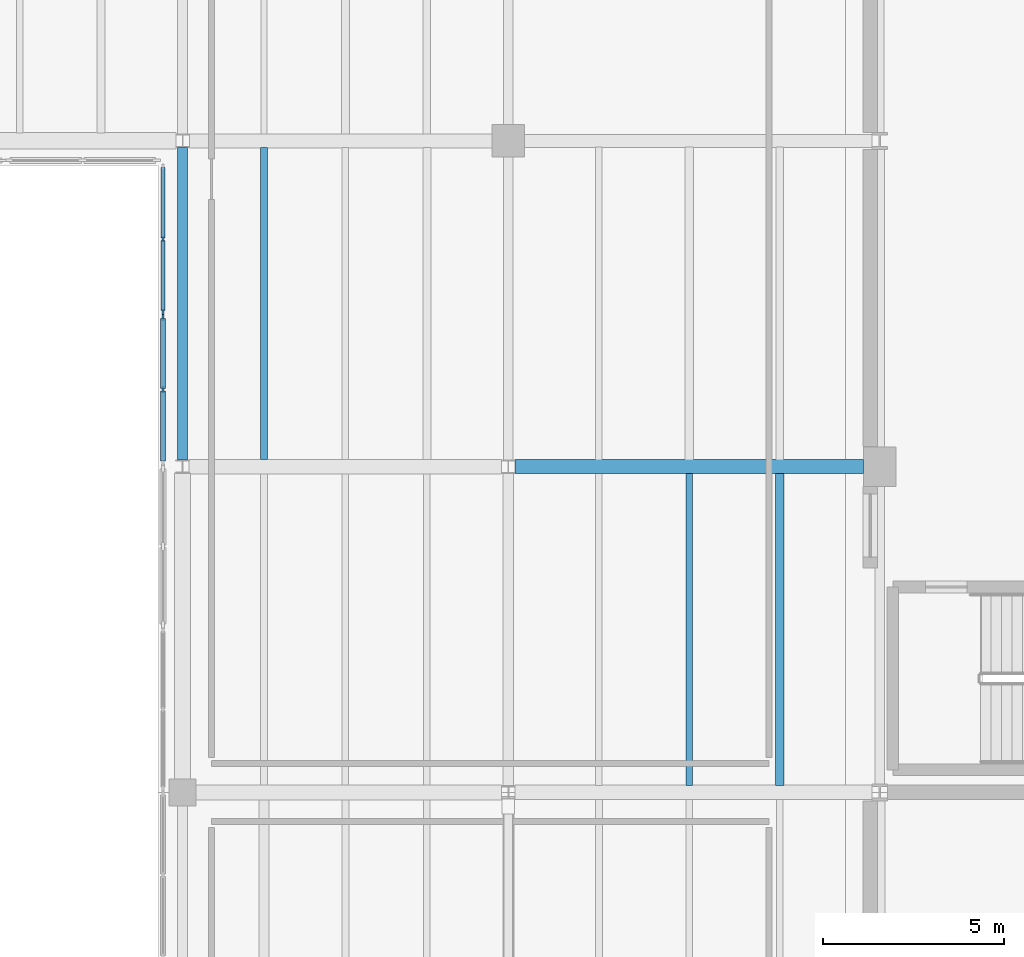
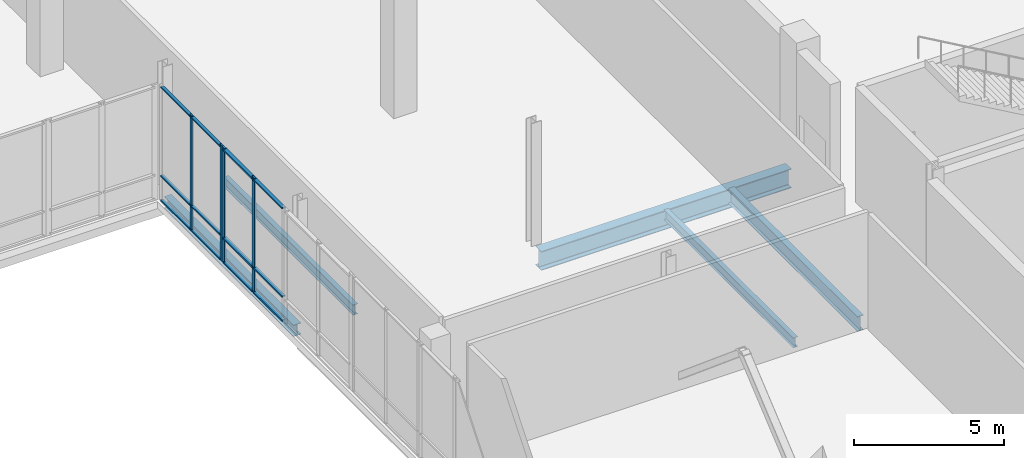
# One storey, part 32 of 73: 16 members, 5 beams, 2 elements without a shape of their own.
"""IFC4 building model written with IfcOpenShell, lengths in metres."""

from ifc_helpers import new_model, si_unit, direction, frame, origin, origin_2d, place, context, subcontext, project, spatial, rectangle, i_section, extrude, material, material_profile, profile_set, type_object, element, aggregate, save


model = new_model("IFC4")

# Units and contexts
model_context = context("Model", 3, precision=1e-05, world=origin(), true_north=direction((0.0, 1.0)))
body_context = subcontext(model_context, "Body", "Model", "MODEL_VIEW")
ifc_project = project(units=[si_unit("LENGTHUNIT", "METRE"), si_unit("AREAUNIT", "SQUARE_METRE"), si_unit("VOLUMEUNIT", "CUBIC_METRE"), si_unit("PLANEANGLEUNIT", "RADIAN"), si_unit("MASSUNIT", "GRAM", prefix="KILO")], contexts=[model_context])

# Site, building, storey
site_placement = place(None, origin())
site = spatial("IfcSite", under=ifc_project, at=site_placement, CompositionType="ELEMENT")
building_placement = place(site_placement, origin())
building = spatial("IfcBuilding", under=site, at=building_placement, Name="Trimount Lyric Opera House", CompositionType="ELEMENT")
storey_placement = place(building_placement, frame((0.0, 0.0, 10.0)))
storey = spatial("IfcBuildingStorey", under=building, at=storey_placement, Name="L02", CompositionType="ELEMENT", Elevation=10.0)

# Beams
ifc_material_1 = material(Name="Steel ASTM A992 Grade 50", Category="steel")
ifc_material_profile_1 = material_profile(ifc_material_1, i_section(OverallWidth=0.382080078125, OverallDepth=0.779052734375, WebThickness=0.01806640625, FlangeThickness=0.0302734375, FilletRadius=0.01904296875, at=origin_2d()), Name="W30X191")
ifc_profile_set_1 = profile_set([ifc_material_profile_1], Name="Steel ASTM A992 Grade 50")
beam_type_1 = type_object("IfcBeamType", Name="B-06", PredefinedType="BEAM", material=ifc_profile_set_1)
beam_1_placement = place(storey_placement, frame((54.1865234375, 93.0, -0.714599609375), z_axis=(1.0, 0.0, 0.0), x_axis=(0.0, 1.0, 0.0)))
element("IfcBeam", 1, at=beam_1_placement, inside=storey, type_object=beam_type_1, Name="L02 girder X-0784", PredefinedType="BEAM", context=body_context, shape_type="SweptSolid", body=[
    extrude(i_section(OverallWidth=0.382080078125, OverallDepth=0.779052734375, WebThickness=0.01806640625, FlangeThickness=0.0302734375, FilletRadius=0.01904296875, at=origin_2d()), origin(), (0.0, 0.0, 1.0), 9.62353515625),
])
ifc_material_2 = material(Name="Steel ASTM A992 Grade 50", Category="steel")
ifc_material_profile_2 = material_profile(ifc_material_2, i_section(OverallWidth=0.22802734375, OverallDepth=0.60205078125, WebThickness=0.010498046875, FlangeThickness=0.014892578125, FilletRadius=0.012939453125, at=origin_2d()), Name="W24X68")
ifc_profile_set_2 = profile_set([ifc_material_profile_2], Name="Steel ASTM A992 Grade 50")
beam_type_2 = type_object("IfcBeamType", Name="J-01", PredefinedType="BEAM", material=ifc_profile_set_2)
beam_2_placement = place(storey_placement, frame((61.5, 84.196533203125, -0.5810546875), z_axis=(0.0, 1.0, 0.0), x_axis=(-1.0, 0.0, 0.0)))
element("IfcBeam", 2, at=beam_2_placement, inside=storey, type_object=beam_type_2, Name="L02 composite floor joist 0892", PredefinedType="BEAM", context=body_context, shape_type="SweptSolid", body=[
    extrude(i_section(OverallWidth=0.22802734375, OverallDepth=0.60205078125, WebThickness=0.010498046875, FlangeThickness=0.014892578125, FilletRadius=0.012939453125, at=origin_2d()), origin(), (0.0, 0.0, 1.0), 8.616455078125),
])
ifc_material_3 = material(Name="Steel ASTM A992 Grade 50", Category="steel")
ifc_material_profile_3 = material_profile(ifc_material_3, i_section(OverallWidth=0.180908203125, OverallDepth=0.4169921875, WebThickness=0.010986328125, FlangeThickness=0.018310546875, FilletRadius=0.010986328125, at=origin_2d()), Name="W16X57")
ifc_profile_set_3 = profile_set([ifc_material_profile_3], Name="Steel ASTM A992 Grade 50")
beam_type_3 = type_object("IfcBeamType", Name="J-05", PredefinedType="BEAM", material=ifc_profile_set_3)
beam_3_placement = place(storey_placement, frame((47.25, 93.196533203125, -0.488525390625), z_axis=(0.0, 1.0, 0.0), x_axis=(-1.0, 0.0, 0.0)))
element("IfcBeam", 3, at=beam_3_placement, inside=storey, type_object=beam_type_3, Name="L02 composite floor joist 0866", PredefinedType="BEAM", context=body_context, shape_type="SweptSolid", body=[
    extrude(i_section(OverallWidth=0.180908203125, OverallDepth=0.4169921875, WebThickness=0.010986328125, FlangeThickness=0.018310546875, FilletRadius=0.010986328125, at=origin_2d()), origin(), (0.0, 0.0, 1.0), 8.616455078125),
])
ifc_material_4 = material(Name="Steel ASTM A992 Grade 50", Category="steel")
ifc_material_profile_4 = material_profile(ifc_material_4, i_section(OverallWidth=0.177978515625, OverallDepth=0.404052734375, WebThickness=0.007568359375, FlangeThickness=0.010986328125, FilletRadius=0.010009765625, at=origin_2d()), Name="W16X36")
ifc_profile_set_4 = profile_set([ifc_material_profile_4], Name="Steel ASTM A992 Grade 50")
beam_type_4 = type_object("IfcBeamType", Name="J-06", PredefinedType="BEAM", material=ifc_profile_set_4)
beam_4_placement = place(storey_placement, frame((59.0, 84.196533203125, -0.48193359375), z_axis=(0.0, 1.0, 0.0), x_axis=(-1.0, 0.0, 0.0)))
element("IfcBeam", 4, at=beam_4_placement, inside=storey, type_object=beam_type_4, Name="L02 composite floor joist 0891", PredefinedType="BEAM", context=body_context, shape_type="SweptSolid", body=[
    extrude(i_section(OverallWidth=0.177978515625, OverallDepth=0.404052734375, WebThickness=0.007568359375, FlangeThickness=0.010986328125, FilletRadius=0.010009765625, at=origin_2d()), origin(), (0.0, 0.0, 1.0), 8.616455078125),
])

# Curtain wall, members
ifc_material_5 = material(Name="Thermally Broken Aluminium and Low-E Glass", Category="aluminium")
curtain_wall_type = type_object("IfcCurtainWallType", Name="CW-03", PredefinedType="NOTDEFINED", material=ifc_material_5)
curtain_wall_1_placement = place(storey_placement, origin())
curtain_wall_1 = element("IfcCurtainWall", 5, at=curtain_wall_1_placement, inside=storey, type_object=curtain_wall_type, Name="L02 curtain wall 208", PredefinedType="NOTDEFINED")
ifc_material_6 = material(Name="Anodised Aluminium 6063-T6", Category="aluminium")
ifc_material_profile_5 = material_profile(ifc_material_6, rectangle(XDim=0.06494140625, YDim=0.179931640625, at=origin_2d()), Name="ALU-MULL-65X180")
ifc_profile_set_5 = profile_set([ifc_material_profile_5], Name="Anodised Aluminium 6063-T6")
member_type_1 = type_object("IfcMemberType", Name="ML-02", PredefinedType="MULLION", material=ifc_profile_set_5)
member_1_placement = place(storey_placement, frame((44.4599609375, 95.125, 0.0), z_axis=(0.0, 0.0, 1.0), x_axis=(-1.0, 0.0, 0.0)))
member_1 = element("IfcMember", 6, at=member_1_placement, type_object=member_type_1, Name="CW-03 mullion 2", PredefinedType="MULLION", context=body_context, shape_type="SweptSolid", body=[
    extrude(rectangle(XDim=0.06494140625, YDim=0.179931640625, at=origin_2d()), origin(), (0.0, 0.0, 1.0), 4.719970703125),
])
member_2_placement = place(storey_placement, frame((44.4599609375, 97.12744140625, 0.0), z_axis=(0.0, 0.0, 1.0), x_axis=(-1.0, 0.0, 0.0)))
member_2 = element("IfcMember", 7, at=member_2_placement, type_object=member_type_1, Name="CW-03 mullion 3", PredefinedType="MULLION", context=body_context, shape_type="SweptSolid", body=[
    extrude(rectangle(XDim=0.06494140625, YDim=0.179931640625, at=origin_2d()), origin(), (0.0, 0.0, 1.0), 4.719970703125),
])

curtain_wall_2_placement = place(storey_placement, origin())
curtain_wall_2 = element("IfcCurtainWall", 8, at=curtain_wall_2_placement, inside=storey, type_object=curtain_wall_type, Name="L02 curtain wall 209", PredefinedType="NOTDEFINED")
ifc_material_7 = material(Name="Anodised Aluminium 6063-T6", Category="aluminium")
ifc_material_profile_6 = material_profile(ifc_material_7, rectangle(XDim=0.06005859375, YDim=0.14990234375, at=origin_2d()), Name="ALU-MULL-60X150")
ifc_profile_set_6 = profile_set([ifc_material_profile_6], Name="Anodised Aluminium 6063-T6")
member_type_2 = type_object("IfcMemberType", Name="ML-03", PredefinedType="MULLION", material=ifc_profile_set_6)
member_3_placement = place(storey_placement, frame((44.4599609375, 97.280029296875, 0.0), z_axis=(0.0, 0.0, 1.0), x_axis=(-1.0, 0.0, 0.0)))
member_3 = element("IfcMember", 9, at=member_3_placement, type_object=member_type_2, Name="CW-03 mullion 1", PredefinedType="MULLION", context=body_context, shape_type="SweptSolid", body=[
    extrude(rectangle(XDim=0.06005859375, YDim=0.14990234375, at=origin_2d()), origin(), (0.0, 0.0, 1.0), 4.719970703125),
])
member_4_placement = place(storey_placement, frame((44.4599609375, 99.284912109375, 0.0), z_axis=(0.0, 0.0, 1.0), x_axis=(-1.0, 0.0, 0.0)))
member_4 = element("IfcMember", 10, at=member_4_placement, type_object=member_type_2, Name="CW-03 mullion 2", PredefinedType="MULLION", context=body_context, shape_type="SweptSolid", body=[
    extrude(rectangle(XDim=0.06005859375, YDim=0.14990234375, at=origin_2d()), origin(), (0.0, 0.0, 1.0), 4.719970703125),
])

# Beam
ifc_material_8 = material(Name="Steel ASTM A992 Grade 50", Category="steel")
ifc_material_profile_7 = material_profile(ifc_material_8, i_section(OverallWidth=0.281982421875, OverallDepth=0.467041015625, WebThickness=0.01220703125, FlangeThickness=0.01953125, FilletRadius=0.012939453125, at=origin_2d()), Name="W18X86")
ifc_profile_set_7 = profile_set([ifc_material_profile_7], Name="Steel ASTM A992 Grade 50")
beam_type_5 = type_object("IfcBeamType", Name="SP-01", PredefinedType="SPANDREL", material=ifc_profile_set_7)
beam_5_placement = place(storey_placement, frame((45.0, 93.177978515625, -0.513427734375), z_axis=(0.0, 1.0, 0.0), x_axis=(-1.0, 0.0, 0.0)))
element("IfcBeam", 11, at=beam_5_placement, inside=storey, type_object=beam_type_5, Name="L02 girder Y-0860", PredefinedType="SPANDREL", context=body_context, shape_type="SweptSolid", body=[
    extrude(i_section(OverallWidth=0.281982421875, OverallDepth=0.467041015625, WebThickness=0.01220703125, FlangeThickness=0.01953125, FilletRadius=0.012939453125, at=origin_2d()), origin(), (0.0, 0.0, 1.0), 8.637939453125),
])

# Member
ifc_material_9 = material(Name="Anodised Aluminium 6063-T6", Category="aluminium")
ifc_material_profile_8 = material_profile(ifc_material_9, rectangle(XDim=0.135009765625, YDim=0.06494140625, at=origin_2d()), Name="ALU-TRAN-65X135")
ifc_profile_set_8 = profile_set([ifc_material_profile_8], Name="Anodised Aluminium 6063-T6")
member_type_3 = type_object("IfcMemberType", Name="TR-02", PredefinedType="USERDEFINED", material=ifc_profile_set_8)
member_5_placement = place(storey_placement, frame((44.4599609375, 93.155029296875, 0.0673828125), z_axis=(0.0, 1.0, 0.0), x_axis=(-1.0, 0.0, 0.0)))
member_5 = element("IfcMember", 12, at=member_5_placement, type_object=member_type_3, Name="CW-03 transom 1.1", ObjectType="TRANSOM", PredefinedType="USERDEFINED", context=body_context, shape_type="SweptSolid", body=[
    extrude(rectangle(XDim=0.135009765625, YDim=0.06494140625, at=origin_2d()), origin(), (0.0, 0.0, 1.0), 1.9375),
])

member_6_placement = place(storey_placement, frame((44.4599609375, 93.155029296875, 1.050048828125), z_axis=(0.0, 1.0, 0.0), x_axis=(-1.0, 0.0, 0.0)))
member_6 = element("IfcMember", 13, at=member_6_placement, type_object=member_type_3, Name="CW-03 transom 1.2", ObjectType="TRANSOM", PredefinedType="USERDEFINED", context=body_context, shape_type="SweptSolid", body=[
    extrude(rectangle(XDim=0.135009765625, YDim=0.06494140625, at=origin_2d()), origin(), (0.0, 0.0, 1.0), 1.9375),
])

member_7_placement = place(storey_placement, frame((44.4599609375, 93.155029296875, 4.652587890625), z_axis=(0.0, 1.0, 0.0), x_axis=(-1.0, 0.0, 0.0)))
member_7 = element("IfcMember", 14, at=member_7_placement, type_object=member_type_3, Name="CW-03 transom 1.3", ObjectType="TRANSOM", PredefinedType="USERDEFINED", context=body_context, shape_type="SweptSolid", body=[
    extrude(rectangle(XDim=0.135009765625, YDim=0.06494140625, at=origin_2d()), origin(), (0.0, 0.0, 1.0), 1.9375),
])

member_8_placement = place(storey_placement, frame((44.4599609375, 95.157470703125, 0.0673828125), z_axis=(0.0, 1.0, 0.0), x_axis=(-1.0, 0.0, 0.0)))
member_8 = element("IfcMember", 15, at=member_8_placement, type_object=member_type_3, Name="CW-03 transom 2.1", ObjectType="TRANSOM", PredefinedType="USERDEFINED", context=body_context, shape_type="SweptSolid", body=[
    extrude(rectangle(XDim=0.135009765625, YDim=0.06494140625, at=origin_2d()), origin(), (0.0, 0.0, 1.0), 1.9375),
])

member_9_placement = place(storey_placement, frame((44.4599609375, 95.157470703125, 1.050048828125), z_axis=(0.0, 1.0, 0.0), x_axis=(-1.0, 0.0, 0.0)))
member_9 = element("IfcMember", 16, at=member_9_placement, type_object=member_type_3, Name="CW-03 transom 2.2", ObjectType="TRANSOM", PredefinedType="USERDEFINED", context=body_context, shape_type="SweptSolid", body=[
    extrude(rectangle(XDim=0.135009765625, YDim=0.06494140625, at=origin_2d()), origin(), (0.0, 0.0, 1.0), 1.9375),
])

member_10_placement = place(storey_placement, frame((44.4599609375, 95.157470703125, 4.652587890625), z_axis=(0.0, 1.0, 0.0), x_axis=(-1.0, 0.0, 0.0)))
member_10 = element("IfcMember", 17, at=member_10_placement, type_object=member_type_3, Name="CW-03 transom 2.3", ObjectType="TRANSOM", PredefinedType="USERDEFINED", context=body_context, shape_type="SweptSolid", body=[
    extrude(rectangle(XDim=0.135009765625, YDim=0.06494140625, at=origin_2d()), origin(), (0.0, 0.0, 1.0), 1.9375),
])

aggregate(curtain_wall_1, [member_1, member_2, member_5, member_6, member_7, member_8, member_9, member_10])

ifc_material_10 = material(Name="Anodised Aluminium 6063-T6", Category="aluminium")
ifc_material_profile_9 = material_profile(ifc_material_10, rectangle(XDim=0.114990234375, YDim=0.06005859375, at=origin_2d()), Name="ALU-TRAN-60X115")
ifc_profile_set_9 = profile_set([ifc_material_profile_9], Name="Anodised Aluminium 6063-T6")
member_type_4 = type_object("IfcMemberType", Name="TR-03", PredefinedType="USERDEFINED", material=ifc_profile_set_9)
member_11_placement = place(storey_placement, frame((44.4599609375, 97.31005859375, 0.0576171875), z_axis=(0.0, 1.0, 0.0), x_axis=(-1.0, 0.0, 0.0)))
member_11 = element("IfcMember", 18, at=member_11_placement, type_object=member_type_4, Name="CW-03 transom 1.1", ObjectType="TRANSOM", PredefinedType="USERDEFINED", context=body_context, shape_type="SweptSolid", body=[
    extrude(rectangle(XDim=0.114990234375, YDim=0.06005859375, at=origin_2d()), origin(), (0.0, 0.0, 1.0), 1.94482421875),
])

member_12_placement = place(storey_placement, frame((44.4599609375, 97.31005859375, 1.050048828125), z_axis=(0.0, 1.0, 0.0), x_axis=(-1.0, 0.0, 0.0)))
member_12 = element("IfcMember", 19, at=member_12_placement, type_object=member_type_4, Name="CW-03 transom 1.2", ObjectType="TRANSOM", PredefinedType="USERDEFINED", context=body_context, shape_type="SweptSolid", body=[
    extrude(rectangle(XDim=0.114990234375, YDim=0.06005859375, at=origin_2d()), origin(), (0.0, 0.0, 1.0), 1.94482421875),
])

member_13_placement = place(storey_placement, frame((44.4599609375, 97.31005859375, 4.66259765625), z_axis=(0.0, 1.0, 0.0), x_axis=(-1.0, 0.0, 0.0)))
member_13 = element("IfcMember", 20, at=member_13_placement, type_object=member_type_4, Name="CW-03 transom 1.3", ObjectType="TRANSOM", PredefinedType="USERDEFINED", context=body_context, shape_type="SweptSolid", body=[
    extrude(rectangle(XDim=0.114990234375, YDim=0.06005859375, at=origin_2d()), origin(), (0.0, 0.0, 1.0), 1.94482421875),
])

member_14_placement = place(storey_placement, frame((44.4599609375, 99.31494140625, 0.0576171875), z_axis=(0.0, 1.0, 0.0), x_axis=(-1.0, 0.0, 0.0)))
member_14 = element("IfcMember", 21, at=member_14_placement, type_object=member_type_4, Name="CW-03 transom 2.1", ObjectType="TRANSOM", PredefinedType="USERDEFINED", context=body_context, shape_type="SweptSolid", body=[
    extrude(rectangle(XDim=0.114990234375, YDim=0.06005859375, at=origin_2d()), origin(), (0.0, 0.0, 1.0), 1.945068359375),
])

member_15_placement = place(storey_placement, frame((44.4599609375, 99.31494140625, 1.050048828125), z_axis=(0.0, 1.0, 0.0), x_axis=(-1.0, 0.0, 0.0)))
member_15 = element("IfcMember", 22, at=member_15_placement, type_object=member_type_4, Name="CW-03 transom 2.2", ObjectType="TRANSOM", PredefinedType="USERDEFINED", context=body_context, shape_type="SweptSolid", body=[
    extrude(rectangle(XDim=0.114990234375, YDim=0.06005859375, at=origin_2d()), origin(), (0.0, 0.0, 1.0), 1.945068359375),
])

member_16_placement = place(storey_placement, frame((44.4599609375, 99.31494140625, 4.66259765625), z_axis=(0.0, 1.0, 0.0), x_axis=(-1.0, 0.0, 0.0)))
member_16 = element("IfcMember", 23, at=member_16_placement, type_object=member_type_4, Name="CW-03 transom 2.3", ObjectType="TRANSOM", PredefinedType="USERDEFINED", context=body_context, shape_type="SweptSolid", body=[
    extrude(rectangle(XDim=0.114990234375, YDim=0.06005859375, at=origin_2d()), origin(), (0.0, 0.0, 1.0), 1.945068359375),
])

aggregate(curtain_wall_2, [member_3, member_4, member_11, member_12, member_13, member_14, member_15, member_16])

save(model, "model.ifc")
